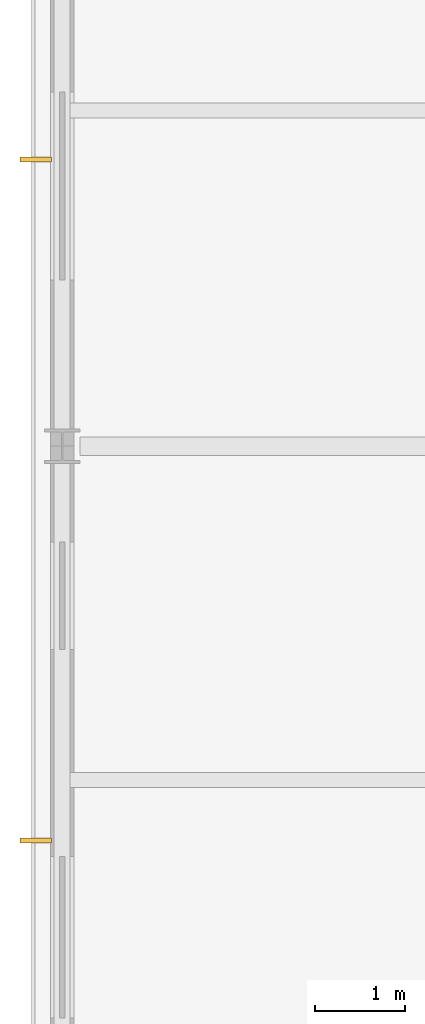
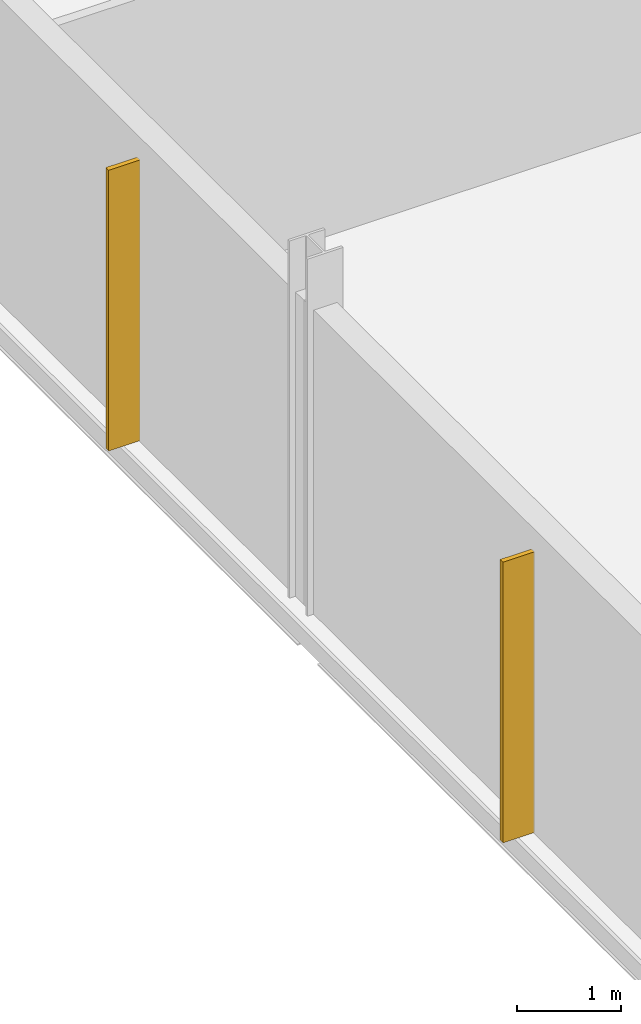
# One storey, part 28 of 36: 2 shading devices.
"""IFC4 building model written with IfcOpenShell, lengths in metres."""

from ifc_helpers import new_model, si_unit, direction, frame, origin, origin_2d, place, context, subcontext, project, spatial, rectangle, extrude, material, type_object, element, save


model = new_model("IFC4")

# Units and contexts
model_context = context("Model", 3, precision=1e-05, world=origin(), true_north=direction((0.0, 1.0)))
body_context = subcontext(model_context, "Body", "Model", "MODEL_VIEW")
ifc_project = project(units=[si_unit("LENGTHUNIT", "METRE"), si_unit("AREAUNIT", "SQUARE_METRE"), si_unit("VOLUMEUNIT", "CUBIC_METRE"), si_unit("PLANEANGLEUNIT", "RADIAN"), si_unit("MASSUNIT", "GRAM", prefix="KILO")], contexts=[model_context])

# Site, building, storey
site_placement = place(None, origin())
site = spatial("IfcSite", under=ifc_project, at=site_placement, CompositionType="ELEMENT")
building_placement = place(site_placement, origin())
building = spatial("IfcBuilding", under=site, at=building_placement, Name="Quillay Park Conservatory", CompositionType="ELEMENT")
storey_placement = place(building_placement, frame((0.0, 0.0, 18.300048828125)))
storey = spatial("IfcBuildingStorey", under=building, at=storey_placement, Name="L04", CompositionType="ELEMENT", Elevation=18.300048828125)

# Shading devices
ifc_material = material(Name="Perforated Copper-Bronze Anodised Aluminium", Category="aluminium")
shading_device_type = type_object("IfcShadingDeviceType", Name="COPPER BRONZE SOLAR FIN", PredefinedType="USERDEFINED", material=ifc_material)
for number, where, z_axis, x_axis, name in (
    (1, (0.2548828125, 66.10009765625, 0.0), (0.0, 0.0, 1.0), (1.0, 0.0, 0.0), "L04 Perforated Copper-Bronze Solar Fin 011"),
    (2, (0.2548828125, 73.699951171875, 0.0), (0.0, 0.0, 1.0), (1.0, 0.0, 0.0), "L04 Perforated Copper-Bronze Solar Fin 012"),
):
    element("IfcShadingDevice", number, at=place(storey_placement, frame(where, z_axis=z_axis, x_axis=x_axis)), inside=storey, type_object=shading_device_type, Name=name, ObjectType="SOLAR FIN", PredefinedType="USERDEFINED", context=body_context, shape_type="SweptSolid", body=[
        extrude(rectangle(XDim=0.35009765625, YDim=0.054931640625, at=origin_2d()), origin(), (0.0, 0.0, 1.0), 3.300048828125),
    ])

save(model, "model.ifc")
